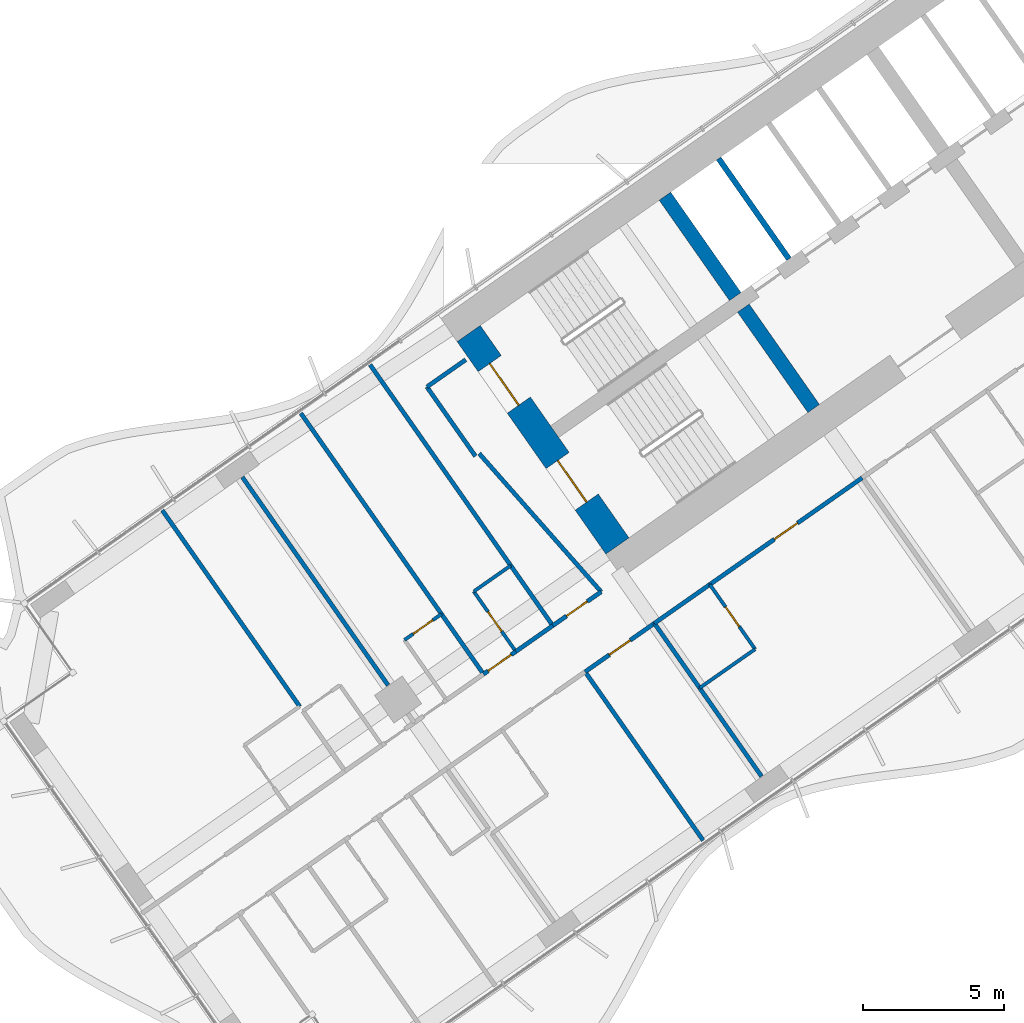
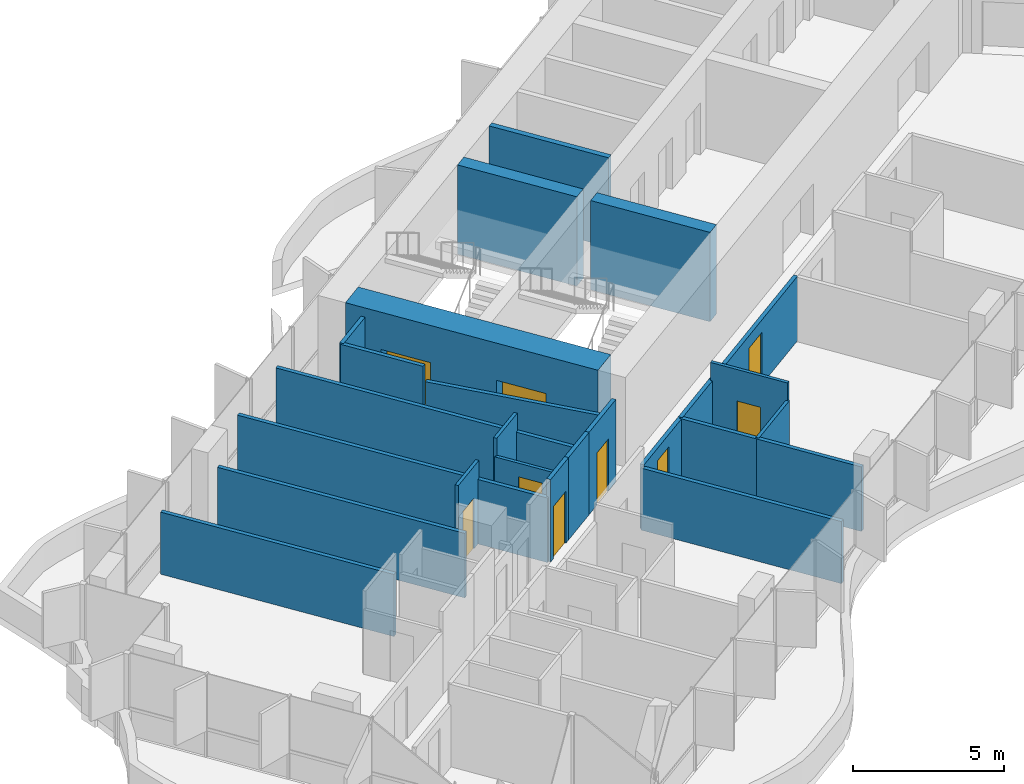
# One storey, part 13 of 24: 27 walls, 9 doors, 9 openings.
"""IFC4 building model written with IfcOpenShell, lengths in metres."""

from ifc_helpers import new_model, si_unit, direction, frame, frame_2d, origin, place, context, subcontext, project, spatial, polyline, rectangle, outline, extrude, material, layer, layer_set, type_object, element, fill, save


model = new_model("IFC4")

# Units and contexts
model_context = context("Model", 3, precision=1e-05, world=origin(), true_north=direction((0.0, 1.0)))
body_context = subcontext(model_context, "Body", "Model", "MODEL_VIEW")
ifc_project = project(units=[si_unit("LENGTHUNIT", "METRE"), si_unit("AREAUNIT", "SQUARE_METRE"), si_unit("VOLUMEUNIT", "CUBIC_METRE"), si_unit("PLANEANGLEUNIT", "RADIAN"), si_unit("MASSUNIT", "GRAM", prefix="KILO")], contexts=[model_context])

# Site, building, storey
site_placement = place(None, origin())
site = spatial("IfcSite", under=ifc_project, at=site_placement, CompositionType="ELEMENT")
building_placement = place(site_placement, origin())
building = spatial("IfcBuilding", under=site, at=building_placement, Name="Tel Ilan Convention Tower", CompositionType="ELEMENT")
storey_placement = place(building_placement, frame((0.0, 0.0, 90.5)))
storey = spatial("IfcBuildingStorey", under=building, at=storey_placement, Name="L18", CompositionType="ELEMENT", Elevation=90.5)

# Wall, openings, doors
ifc_material_1 = material(Name="Concrete C60/75", Category="concrete")
ifc_layer_1 = layer(ifc_material_1, 1.0)
ifc_layer_set_1 = layer_set([ifc_layer_1], Name="Core Shear Wall 1000 mm C60/75")
wall_type_1 = type_object("IfcWallType", Name="Core Shear Wall 1000 mm C60/75", PredefinedType="SHEAR", material=ifc_layer_set_1)
wall_1_placement = place(storey_placement, frame((-21.70751953125, -15.19970703125, 0.0), z_axis=(0.0, 0.0, 1.0), x_axis=(-0.573576324356, 0.819152122709, 0.0)))
wall_1 = element("IfcWall", 1, at=wall_1_placement, inside=storey, type_object=wall_type_1, Name="L18 core wall W-end", PredefinedType="SHEAR", context=body_context, shape_type="SweptSolid", body=[
    extrude(outline(polyline([(0.0, 0.5), (0.0, -0.5), (9.199951171875, -0.5), (9.199951171875, 0.5), (0.0, 0.5)])), origin(), (0.0, 0.0, 1.0), 3.60009765625),
])
opening_1_placement = place(wall_1_placement, frame((6.10009765625, 0.0, 0.0)))
opening_1 = element("IfcOpeningElement", 2, at=opening_1_placement, cuts=wall_1, Name="Opening SD1601", PredefinedType="OPENING", context=body_context, shape_type="SweptSolid", body=[
    extrude(rectangle(XDim=1.800048828125, YDim=2.10009765625, at=frame_2d((0.89990234375, 1.050048828125))), frame((0.0, 0.510009765625, 0.0), z_axis=(0.0, -1.0, 0.0), x_axis=(1.0, 0.0, 0.0)), (0.0, 0.0, 1.0), 1.02001953125),
])
opening_2_placement = place(wall_1_placement, frame((1.89990234375, 0.0, 0.0)))
opening_2 = element("IfcOpeningElement", 3, at=opening_2_placement, cuts=wall_1, Name="Opening SD1602", PredefinedType="OPENING", context=body_context, shape_type="SweptSolid", body=[
    extrude(rectangle(XDim=1.800048828125, YDim=2.10009765625, at=frame_2d((0.89990234375, 1.050048828125))), frame((0.0, 0.510009765625, 0.0), z_axis=(0.0, -1.0, 0.0), x_axis=(1.0, 0.0, 0.0)), (0.0, 0.0, 1.0), 1.02001953125),
])
ifc_material_2 = material(Name="Galvanised Steel Door Leaf", Category="steel")
door_type_1 = type_object("IfcDoorType", Name="Stair Fire Door 1800 x 2100 FD60S", OperationType="NOTDEFINED", PredefinedType="DOOR", material=ifc_material_2)
door_1_placement = place(opening_1_placement, origin())
door_1 = element("IfcDoor", 4, at=door_1_placement, inside=storey, type_object=door_type_1, Name="Stair S1 door", OperationType="DOUBLE_DOOR_SINGLE_SWING", OverallHeight=2.10009765625, OverallWidth=1.800048828125, PredefinedType="DOOR", context=body_context, shape_type="SweptSolid", body=[
    extrude(rectangle(XDim=1.800048828125, YDim=2.10009765625, at=frame_2d((0.89990234375, 1.050048828125))), frame((0.0, 0.02490234375, 0.0), z_axis=(0.0, -1.0, 0.0), x_axis=(1.0, 0.0, 0.0)), (0.0, 0.0, 1.0), 0.050048828125),
])
fill(opening_1, door_1)
door_2_placement = place(opening_2_placement, origin())
door_2 = element("IfcDoor", 5, at=door_2_placement, inside=storey, type_object=door_type_1, Name="Stair S2 door", OperationType="DOUBLE_DOOR_SINGLE_SWING", OverallHeight=2.10009765625, OverallWidth=1.800048828125, PredefinedType="DOOR", context=body_context, shape_type="SweptSolid", body=[
    extrude(rectangle(XDim=1.800048828125, YDim=2.10009765625, at=frame_2d((0.89990234375, 1.050048828125))), frame((0.0, 0.02490234375, 0.0), z_axis=(0.0, -1.0, 0.0), x_axis=(1.0, 0.0, 0.0)), (0.0, 0.0, 1.0), 0.050048828125),
])
fill(opening_2, door_2)

# Walls
ifc_material_3 = material(Name="Concrete C60/75", Category="concrete")
ifc_layer_2 = layer(ifc_material_3, 0.5)
ifc_layer_set_2 = layer_set([ifc_layer_2], Name="Core Shear Wall 500 mm C60/75")
wall_type_2 = type_object("IfcWallType", Name="Core Shear Wall 500 mm C60/75", PredefinedType="SHEAR", material=ifc_layer_set_2)
wall_2_placement = place(storey_placement, frame((-14.74462890625, -10.324462890625, 0.0), z_axis=(0.0, 0.0, 1.0), x_axis=(-0.57356780395, 0.819158088694, 0.0)))
element("IfcWall", 6, at=wall_2_placement, inside=storey, type_object=wall_type_2, Name="L18 core wall W-cross2-1", PredefinedType="SHEAR", context=body_context, shape_type="SweptSolid", body=[
    extrude(outline(polyline([(4.35009765625, 0.250244140625), (0.0, 0.25), (0.0, -0.25), (4.35009765625, -0.25), (4.35009765625, 0.250244140625)])), origin(), (0.0, 0.0, 1.0), 3.60009765625),
])
wall_3_placement = place(storey_placement, frame((-17.526611328125, -6.3515625, 0.0), z_axis=(0.0, 0.0, 1.0), x_axis=(-0.573530143085, 0.819184457233, 0.0)))
element("IfcWall", 7, at=wall_3_placement, inside=storey, type_object=wall_type_2, Name="L18 core wall W-cross2-2", PredefinedType="SHEAR", context=body_context, shape_type="SweptSolid", body=[
    extrude(outline(polyline([(4.35009765625, -0.249755859375), (4.35009765625, 0.250244140625), (0.0, 0.25), (0.0, -0.25), (4.35009765625, -0.249755859375)])), origin(), (0.0, 0.0, 1.0), 3.60009765625),
])

# Wall, opening, door
ifc_material_4 = material(Name="Plasterboard on Steel Studs", Category="steel")
ifc_layer_3 = layer(ifc_material_4, 0.14990234375)
ifc_layer_set_3 = layer_set([ifc_layer_3], Name="Fire-rated Partition 150 EI 60")
wall_type_3 = type_object("IfcWallType", Name="Fire-rated Partition 150 EI 60", PredefinedType="PARTITIONING", material=ifc_layer_set_3)
wall_4_placement = place(storey_placement, frame((-24.002685546875, -18.027587890625, 0.0), z_axis=(0.0, 0.0, 1.0), x_axis=(0.819160859995, 0.573563846013, 0.0)))
wall_4 = element("IfcWall", 8, at=wall_4_placement, inside=storey, type_object=wall_type_3, Name="Partition 020", PredefinedType="PARTITIONING", context=body_context, shape_type="SweptSolid", body=[
    extrude(rectangle(XDim=2.098388671875, YDim=0.14990234375, at=frame_2d((1.04931640625, 0.0))), origin(), (0.0, 0.0, 1.0), 3.320068359375),
])
opening_3_placement = place(wall_4_placement, frame((0.59912109375, 0.0, 0.0)))
opening_3 = element("IfcOpeningElement", 9, at=opening_3_placement, cuts=wall_4, Name="Opening L18-016", PredefinedType="OPENING", context=body_context, shape_type="SweptSolid", body=[
    extrude(rectangle(XDim=0.89990234375, YDim=2.10009765625, at=frame_2d((0.449951171875, 1.050048828125))), frame((0.0, 0.0849609375, 0.0), z_axis=(0.0, -1.0, 0.0), x_axis=(1.0, 0.0, 0.0)), (0.0, 0.0, 1.0), 0.169921875),
])
ifc_material_5 = material(Name="Timber Door Leaf in Steel Frame", Category="steel")
door_type_2 = type_object("IfcDoorType", Name="Room Fire Door 900x2100", OperationType="NOTDEFINED", PredefinedType="DOOR", material=ifc_material_5)
door_3_placement = place(opening_3_placement, origin())
door_3 = element("IfcDoor", 10, at=door_3_placement, inside=storey, type_object=door_type_2, Name="Door L18-016", OperationType="SINGLE_SWING_RIGHT", OverallHeight=2.10009765625, OverallWidth=0.89990234375, PredefinedType="DOOR", context=body_context, shape_type="SweptSolid", body=[
    extrude(rectangle(XDim=0.89990234375, YDim=2.10009765625, at=frame_2d((0.449951171875, 1.050048828125))), frame((0.0, 0.02490234375, 0.0), z_axis=(0.0, -1.0, 0.0), x_axis=(1.0, 0.0, 0.0)), (0.0, 0.0, 1.0), 0.050048828125),
])
fill(opening_3, door_3)

wall_5_placement = place(storey_placement, frame((-26.460205078125, -19.748291015625, 0.0), z_axis=(0.0, 0.0, 1.0), x_axis=(0.819199220913, 0.573509055252, 0.0)))
wall_5 = element("IfcWall", 11, at=wall_5_placement, inside=storey, type_object=wall_type_3, Name="Partition 021", PredefinedType="PARTITIONING", context=body_context, shape_type="SweptSolid", body=[
    extrude(rectangle(XDim=1.403076171875, YDim=0.14990234375, at=frame_2d((0.70166015625, 0.0))), origin(), (0.0, 0.0, 1.0), 3.320068359375),
])
opening_4_placement = place(wall_5_placement, frame((0.201904296875, 0.0, 0.0)))
opening_4 = element("IfcOpeningElement", 12, at=opening_4_placement, cuts=wall_5, Name="Opening L18-018", PredefinedType="OPENING", context=body_context, shape_type="SweptSolid", body=[
    extrude(rectangle(XDim=1.0, YDim=2.10009765625, at=frame_2d((0.5, 1.050048828125))), frame((0.0, 0.0849609375, 0.0), z_axis=(0.0, -1.0, 0.0), x_axis=(1.0, 0.0, 0.0)), (0.0, 0.0, 1.0), 0.169921875),
])
ifc_material_6 = material(Name="Timber Door Leaf in Steel Frame", Category="steel")
door_type_3 = type_object("IfcDoorType", Name="Hotel Room Entrance Fire Door 1000x2100", OperationType="NOTDEFINED", PredefinedType="DOOR", material=ifc_material_6)
door_4_placement = place(opening_4_placement, origin())
door_4 = element("IfcDoor", 13, at=door_4_placement, inside=storey, type_object=door_type_3, Name="Door L18-018", OperationType="SINGLE_SWING_LEFT", OverallHeight=2.10009765625, OverallWidth=1.0, PredefinedType="DOOR", context=body_context, shape_type="SweptSolid", body=[
    extrude(rectangle(XDim=1.0, YDim=2.10009765625, at=frame_2d((0.5, 1.050048828125))), frame((0.0, 0.02490234375, 0.0), z_axis=(0.0, -1.0, 0.0), x_axis=(1.0, 0.0, 0.0)), (0.0, 0.0, 1.0), 0.050048828125),
])
fill(opening_4, door_4)

# Wall
wall_6_placement = place(storey_placement, frame((-25.313232421875, -18.9453125, 0.0), z_axis=(0.0, 0.0, 1.0), x_axis=(0.819189013667, 0.573523634986, 0.0)))
element("IfcWall", 14, at=wall_6_placement, inside=storey, type_object=wall_type_3, Name="Partition 022", PredefinedType="PARTITIONING", context=body_context, shape_type="SweptSolid", body=[
    extrude(rectangle(XDim=1.60400390625, YDim=0.14990234375, at=frame_2d((0.802001953125, 0.0))), origin(), (0.0, 0.0, 1.0), 3.320068359375),
])

# Wall, opening, door
wall_7_placement = place(storey_placement, frame((-13.0224609375, -12.78076171875, 0.0), z_axis=(0.0, 0.0, 1.0), x_axis=(-0.819141582452, -0.573591377113, 0.0)))
wall_7 = element("IfcWall", 15, at=wall_7_placement, inside=storey, type_object=wall_type_3, Name="Partition 032", PredefinedType="PARTITIONING", context=body_context, shape_type="SweptSolid", body=[
    extrude(rectangle(XDim=6.602783203125, YDim=0.14990234375, at=frame_2d((3.30126953125, 0.0))), origin(), (0.0, 0.0, 1.0), 2.60009765625),
])
opening_5_placement = place(wall_7_placement, frame((2.802001953125, 0.0, 0.0)))
opening_5 = element("IfcOpeningElement", 16, at=opening_5_placement, cuts=wall_7, Name="Opening L18-005", PredefinedType="OPENING", context=body_context, shape_type="SweptSolid", body=[
    extrude(rectangle(XDim=1.0, YDim=2.10009765625, at=frame_2d((0.5, 1.050048828125))), frame((0.0, 0.0849609375, 0.0), z_axis=(0.0, -1.0, 0.0), x_axis=(1.0, 0.0, 0.0)), (0.0, 0.0, 1.0), 0.169921875),
])
door_5_placement = place(opening_5_placement, origin())
door_5 = element("IfcDoor", 17, at=door_5_placement, inside=storey, type_object=door_type_3, Name="Door L18-005", OperationType="SINGLE_SWING_RIGHT", OverallHeight=2.10009765625, OverallWidth=1.0, PredefinedType="DOOR", context=body_context, shape_type="SweptSolid", body=[
    extrude(rectangle(XDim=1.0, YDim=2.10009765625, at=frame_2d((0.5, 1.050048828125))), frame((0.0, 0.02490234375, 0.0), z_axis=(0.0, -1.0, 0.0), x_axis=(1.0, 0.0, 0.0)), (0.0, 0.0, 1.0), 0.050048828125),
])
fill(opening_5, door_5)

# Wall
wall_8_placement = place(storey_placement, frame((-18.4287109375, -16.56640625, 0.0), z_axis=(0.0, 0.0, 1.0), x_axis=(-0.819146032251, -0.573585022335, 0.0)))
element("IfcWall", 18, at=wall_8_placement, inside=storey, type_object=wall_type_3, Name="Partition 033", PredefinedType="PARTITIONING", context=body_context, shape_type="SweptSolid", body=[
    extrude(rectangle(XDim=2.404052734375, YDim=0.14990234375, at=frame_2d((1.2021484375, 0.0))), origin(), (0.0, 0.0, 1.0), 2.60009765625),
])

# Wall, opening, door
wall_9_placement = place(storey_placement, frame((-20.394775390625, -17.94287109375, 0.0), z_axis=(0.0, 0.0, 1.0), x_axis=(-0.819128818764, -0.573609604409, 0.0)))
wall_9 = element("IfcWall", 19, at=wall_9_placement, inside=storey, type_object=wall_type_3, Name="Partition 034", PredefinedType="PARTITIONING", context=body_context, shape_type="SweptSolid", body=[
    extrude(rectangle(XDim=3.004150390625, YDim=0.14990234375, at=frame_2d((1.501953125, 0.0))), origin(), (0.0, 0.0, 1.0), 2.60009765625),
])
opening_6_placement = place(wall_9_placement, frame((1.052001953125, 0.0, 0.0)))
opening_6 = element("IfcOpeningElement", 20, at=opening_6_placement, cuts=wall_9, Name="Opening L18-006", PredefinedType="OPENING", context=body_context, shape_type="SweptSolid", body=[
    extrude(rectangle(XDim=0.89990234375, YDim=2.10009765625, at=frame_2d((0.449951171875, 1.050048828125))), frame((0.0, 0.0849609375, 0.0), z_axis=(0.0, -1.0, 0.0), x_axis=(1.0, 0.0, 0.0)), (0.0, 0.0, 1.0), 0.169921875),
])
door_6_placement = place(opening_6_placement, origin())
door_6 = element("IfcDoor", 21, at=door_6_placement, inside=storey, type_object=door_type_2, Name="Door L18-006", OperationType="SINGLE_SWING_LEFT", OverallHeight=2.10009765625, OverallWidth=0.89990234375, PredefinedType="DOOR", context=body_context, shape_type="SweptSolid", body=[
    extrude(rectangle(XDim=0.89990234375, YDim=2.10009765625, at=frame_2d((0.449951171875, 1.050048828125))), frame((0.0, 0.02490234375, 0.0), z_axis=(0.0, -1.0, 0.0), x_axis=(1.0, 0.0, 0.0)), (0.0, 0.0, 1.0), 0.050048828125),
])
fill(opening_6, door_6)

# Walls
wall_10_placement = place(storey_placement, frame((-26.74609375, -12.013671875, 0.0), z_axis=(0.0, 0.0, 1.0), x_axis=(-0.573560650686, 0.819163097304, 0.0)))
element("IfcWall", 22, at=wall_10_placement, inside=storey, type_object=wall_type_3, Name="Partition 081", PredefinedType="PARTITIONING", context=body_context, shape_type="SweptSolid", body=[
    extrude(rectangle(XDim=3.0, YDim=0.14990234375, at=frame_2d((1.5, 0.0))), origin(), (0.0, 0.0, 1.0), 3.320068359375),
])
wall_11_placement = place(storey_placement, frame((-28.466796875, -9.55615234375, 0.0), z_axis=(0.0, 0.0, 1.0), x_axis=(0.819109000826, 0.573637903879, 0.0)))
element("IfcWall", 23, at=wall_11_placement, inside=storey, type_object=wall_type_3, Name="Partition 082", PredefinedType="PARTITIONING", context=body_context, shape_type="SweptSolid", body=[
    extrude(rectangle(XDim=1.679931640625, YDim=0.14990234375, at=frame_2d((0.83984375, 0.0))), origin(), (0.0, 0.0, 1.0), 3.320068359375),
])
wall_12_placement = place(storey_placement, frame((-22.2841796875, -16.82666015625, 0.0), z_axis=(0.0, 0.0, 1.0), x_axis=(-0.661545117561, 0.749905365651, 0.0)))
element("IfcWall", 24, at=wall_12_placement, inside=storey, type_object=wall_type_3, Name="Partition 083", PredefinedType="PARTITIONING", context=body_context, shape_type="SweptSolid", body=[
    extrude(rectangle(XDim=6.542724609375, YDim=0.14990234375, at=frame_2d((3.271484375, 0.0))), origin(), (0.0, 0.0, 1.0), 2.60009765625),
])
wall_13_placement = place(storey_placement, frame((-25.49169921875, -15.8974609375, 0.0), z_axis=(0.0, 0.0, 1.0), x_axis=(-0.573579093502, 0.819150183725, 0.0)))
element("IfcWall", 25, at=wall_13_placement, inside=storey, type_object=wall_type_3, Name="Partition 084", PredefinedType="PARTITIONING", context=body_context, shape_type="SweptSolid", body=[
    extrude(rectangle(XDim=8.700927734375, YDim=0.14990234375, at=frame_2d((4.3505859375, 0.0))), origin(), (0.0, 0.0, 1.0), 2.60009765625),
])
wall_14_placement = place(storey_placement, frame((-24.0009765625, -18.0263671875, 0.0), z_axis=(0.0, 0.0, 1.0), x_axis=(-0.573588285102, 0.819143747577, 0.0)))
element("IfcWall", 26, at=wall_14_placement, inside=storey, type_object=wall_type_3, Name="Partition 085", PredefinedType="PARTITIONING", context=body_context, shape_type="SweptSolid", body=[
    extrude(rectangle(XDim=2.601806640625, YDim=0.14990234375, at=frame_2d((1.30078125, 0.0))), origin(), (0.0, 0.0, 1.0), 2.60009765625),
])
wall_15_placement = place(storey_placement, frame((-27.94921875, -17.6181640625, 0.0), z_axis=(0.0, 0.0, 1.0), x_axis=(-0.573579093502, 0.819150183725, 0.0)))
element("IfcWall", 27, at=wall_15_placement, inside=storey, type_object=wall_type_3, Name="Partition 088", PredefinedType="PARTITIONING", context=body_context, shape_type="SweptSolid", body=[
    extrude(rectangle(XDim=8.700927734375, YDim=0.14990234375, at=frame_2d((4.3505859375, 0.0))), origin(), (0.0, 0.0, 1.0), 2.60009765625),
])
wall_16_placement = place(storey_placement, frame((-26.45849609375, -19.747314453125, 0.0), z_axis=(0.0, 0.0, 1.0), x_axis=(-0.573544201094, 0.819174614714, 0.0)))
element("IfcWall", 28, at=wall_16_placement, inside=storey, type_object=wall_type_3, Name="Partition 089", PredefinedType="PARTITIONING", context=body_context, shape_type="SweptSolid", body=[
    extrude(rectangle(XDim=2.60205078125, YDim=0.14990234375, at=frame_2d((1.301025390625, 0.0))), origin(), (0.0, 0.0, 1.0), 2.60009765625),
])
wall_17_placement = place(storey_placement, frame((-29.84521484375, -20.140869140625, 0.0), z_axis=(0.0, 0.0, 1.0), x_axis=(-0.573558725113, 0.819164445546, 0.0)))
element("IfcWall", 29, at=wall_17_placement, inside=storey, type_object=wall_type_3, Name="Partition 093", PredefinedType="PARTITIONING", context=body_context, shape_type="SweptSolid", body=[
    extrude(rectangle(XDim=9.010009765625, YDim=0.14990234375, at=frame_2d((4.5048828125, 0.0))), origin(), (0.0, 0.0, 1.0), 2.60009765625),
])
wall_18_placement = place(storey_placement, frame((-32.978759765625, -20.895751953125, 0.0), z_axis=(0.0, 0.0, 1.0), x_axis=(-0.573576058406, 0.819152308929, 0.0)))
element("IfcWall", 30, at=wall_18_placement, inside=storey, type_object=wall_type_3, Name="Partition 096", PredefinedType="PARTITIONING", context=body_context, shape_type="SweptSolid", body=[
    extrude(rectangle(XDim=8.5009765625, YDim=0.14990234375, at=frame_2d((4.25048828125, 0.0))), origin(), (0.0, 0.0, 1.0), 2.5),
])
wall_19_placement = place(storey_placement, frame((-16.593505859375, -23.375, 0.0), z_axis=(0.0, 0.0, 1.0), x_axis=(-0.573594994199, 0.819139049631, 0.0)))
element("IfcWall", 31, at=wall_19_placement, inside=storey, type_object=wall_type_3, Name="Partition 107", PredefinedType="PARTITIONING", context=body_context, shape_type="SweptSolid", body=[
    extrude(rectangle(XDim=3.8291015625, YDim=0.14990234375, at=frame_2d((1.91455078125, 0.0))), origin(), (0.0, 0.0, 1.0), 2.60009765625),
])
wall_20_placement = place(storey_placement, frame((-18.790283203125, -20.237548828125, 0.0), z_axis=(0.0, 0.0, 1.0), x_axis=(-0.57364959175, 0.819100815459, 0.0)))
element("IfcWall", 32, at=wall_20_placement, inside=storey, type_object=wall_type_3, Name="Partition 108", PredefinedType="PARTITIONING", context=body_context, shape_type="SweptSolid", body=[
    extrude(rectangle(XDim=2.800048828125, YDim=0.14990234375, at=frame_2d((1.39990234375, 0.0))), origin(), (0.0, 0.0, 1.0), 2.60009765625),
])
wall_21_placement = place(storey_placement, frame((-18.666748046875, -25.64453125, 0.0), z_axis=(0.0, 0.0, 1.0), x_axis=(-0.573572324301, 0.819154923562, 0.0)))
element("IfcWall", 33, at=wall_21_placement, inside=storey, type_object=wall_type_3, Name="Partition 109", PredefinedType="PARTITIONING", context=body_context, shape_type="SweptSolid", body=[
    extrude(rectangle(XDim=7.2998046875, YDim=0.14990234375, at=frame_2d((3.64990234375, 0.0))), origin(), (0.0, 0.0, 1.0), 2.5),
])
ifc_material_7 = material(Name="Concrete C30/37", Category="concrete")
ifc_layer_4 = layer(ifc_material_7, 0.199951171875)
ifc_layer_set_4 = layer_set([ifc_layer_4], Name="Lift Shaft Wall 200 mm C30/37")
wall_type_4 = type_object("IfcWallType", Name="Lift Shaft Wall 200 mm C30/37", PredefinedType="SOLIDWALL", material=ifc_layer_set_4)
wall_22_placement = place(storey_placement, frame((-15.6220703125, -5.017822265625, 0.0), z_axis=(0.0, 0.0, 1.0), x_axis=(-0.573594173421, 0.819139624372, 0.0)))
element("IfcWall", 34, at=wall_22_placement, inside=storey, type_object=wall_type_4, Name="L18 core wall bank-W2-p2", PredefinedType="SOLIDWALL", context=body_context, shape_type="SweptSolid", body=[
    extrude(rectangle(XDim=4.349853515625, YDim=0.199951171875, at=frame_2d((2.1748046875, 0.0))), origin(), (0.0, 0.0, 1.0), 3.60009765625),
])
ifc_material_8 = material(Name="Plasterboard on Steel Studs", Category="steel")
ifc_layer_5 = layer(ifc_material_8, 0.1201171875)
ifc_layer_set_5 = layer_set([ifc_layer_5], Name="Moisture-resistant Partition 120")
wall_type_5 = type_object("IfcWallType", Name="Moisture-resistant Partition 120", PredefinedType="PARTITIONING", material=ifc_layer_set_5)
wall_23_placement = place(storey_placement, frame((-25.492919921875, -15.895751953125, 0.0), z_axis=(0.0, 0.0, 1.0), x_axis=(-0.819059844958, -0.573708088123, 0.0)))
element("IfcWall", 35, at=wall_23_placement, inside=storey, type_object=wall_type_5, Name="Partition 086", PredefinedType="PARTITIONING", context=body_context, shape_type="SweptSolid", body=[
    extrude(rectangle(XDim=1.60009765625, YDim=0.1201171875, at=frame_2d((0.800048828125, 0.0))), origin(), (0.0, 0.0, 1.0), 3.320068359375),
])

# Wall, opening, door
wall_24_placement = place(storey_placement, frame((-26.8037109375, -16.81494140625, 0.0), z_axis=(0.0, 0.0, 1.0), x_axis=(0.573582085028, -0.819148089014, 0.0)))
wall_24 = element("IfcWall", 36, at=wall_24_placement, inside=storey, type_object=wall_type_5, Name="Partition 087", PredefinedType="PARTITIONING", context=body_context, shape_type="SweptSolid", body=[
    extrude(rectangle(XDim=2.599853515625, YDim=0.1201171875, at=frame_2d((1.2998046875, 0.0))), origin(), (0.0, 0.0, 1.0), 2.60009765625),
])
opening_7_placement = place(wall_24_placement, frame((0.875, 0.0, 0.0)))
opening_7 = element("IfcOpeningElement", 37, at=opening_7_placement, cuts=wall_24, Name="Opening L18-017", PredefinedType="OPENING", context=body_context, shape_type="SweptSolid", body=[
    extrude(rectangle(XDim=0.85009765625, YDim=2.050048828125, at=frame_2d((0.425048828125, 1.02490234375))), frame((0.0, 0.070068359375, 0.0), z_axis=(0.0, -1.0, 0.0), x_axis=(1.0, 0.0, 0.0)), (0.0, 0.0, 1.0), 0.14013671875),
])
ifc_material_9 = material(Name="Timber Door Leaf in Steel Frame", Category="steel")
door_type_4 = type_object("IfcDoorType", Name="Bathroom Timber Door 850x2050", OperationType="NOTDEFINED", PredefinedType="DOOR", material=ifc_material_9)
door_7_placement = place(opening_7_placement, origin())
door_7 = element("IfcDoor", 38, at=door_7_placement, inside=storey, type_object=door_type_4, Name="Door L18-017", OperationType="SINGLE_SWING_RIGHT", OverallHeight=2.050048828125, OverallWidth=0.85009765625, PredefinedType="DOOR", context=body_context, shape_type="SweptSolid", body=[
    extrude(rectangle(XDim=0.85009765625, YDim=2.050048828125, at=frame_2d((0.425048828125, 1.02490234375))), frame((0.0, 0.02490234375, 0.0), z_axis=(0.0, -1.0, 0.0), x_axis=(1.0, 0.0, 0.0)), (0.0, 0.0, 1.0), 0.050048828125),
])
fill(opening_7, door_7)

wall_25_placement = place(storey_placement, frame((-27.9501953125, -17.61669921875, 0.0), z_axis=(0.0, 0.0, 1.0), x_axis=(-0.819253425856, -0.573431621227, 0.0)))
wall_25 = element("IfcWall", 39, at=wall_25_placement, inside=storey, type_object=wall_type_5, Name="Partition 090", PredefinedType="PARTITIONING", context=body_context, shape_type="SweptSolid", body=[
    extrude(rectangle(XDim=1.60009765625, YDim=0.1201171875, at=frame_2d((0.800048828125, 0.0))), origin(), (0.0, 0.0, 1.0), 3.320068359375),
])
opening_8_placement = place(wall_25_placement, frame((0.375, 0.0, 0.0)))
opening_8 = element("IfcOpeningElement", 40, at=opening_8_placement, cuts=wall_25, Name="Opening L18-019", PredefinedType="OPENING", context=body_context, shape_type="SweptSolid", body=[
    extrude(rectangle(XDim=0.85009765625, YDim=2.050048828125, at=frame_2d((0.425048828125, 1.02490234375))), frame((0.0, 0.070068359375, 0.0), z_axis=(0.0, -1.0, 0.0), x_axis=(1.0, 0.0, 0.0)), (0.0, 0.0, 1.0), 0.14013671875),
])
door_8_placement = place(opening_8_placement, origin())
door_8 = element("IfcDoor", 41, at=door_8_placement, inside=storey, type_object=door_type_4, Name="Door L18-019", OperationType="SINGLE_SWING_LEFT", OverallHeight=2.050048828125, OverallWidth=0.85009765625, PredefinedType="DOOR", context=body_context, shape_type="SweptSolid", body=[
    extrude(rectangle(XDim=0.85009765625, YDim=2.050048828125, at=frame_2d((0.425048828125, 1.02490234375))), frame((0.0, 0.02490234375, 0.0), z_axis=(0.0, -1.0, 0.0), x_axis=(1.0, 0.0, 0.0)), (0.0, 0.0, 1.0), 0.050048828125),
])
fill(opening_8, door_8)

# Wall
wall_26_placement = place(storey_placement, frame((-18.789794921875, -20.238525390625, 0.0), z_axis=(0.0, 0.0, 1.0), x_axis=(0.819141114317, 0.573592045652, 0.0)))
element("IfcWall", 42, at=wall_26_placement, inside=storey, type_object=wall_type_5, Name="Partition 105", PredefinedType="PARTITIONING", context=body_context, shape_type="SweptSolid", body=[
    extrude(rectangle(XDim=2.400146484375, YDim=0.1201171875, at=frame_2d((1.2001953125, 0.0))), origin(), (0.0, 0.0, 1.0), 2.60009765625),
])

# Wall, opening, door
wall_27_placement = place(storey_placement, frame((-16.823486328125, -18.860595703125, 0.0), z_axis=(0.0, 0.0, 1.0), x_axis=(-0.573608623498, 0.819129505664, 0.0)))
wall_27 = element("IfcWall", 43, at=wall_27_placement, inside=storey, type_object=wall_type_5, Name="Partition 106", PredefinedType="PARTITIONING", context=body_context, shape_type="SweptSolid", body=[
    extrude(rectangle(XDim=2.800048828125, YDim=0.1201171875, at=frame_2d((1.39990234375, 0.0))), origin(), (0.0, 0.0, 1.0), 3.320068359375),
])
opening_9_placement = place(wall_27_placement, frame((0.97509765625, 0.0, 0.0)))
opening_9 = element("IfcOpeningElement", 44, at=opening_9_placement, cuts=wall_27, Name="Opening L18-004", PredefinedType="OPENING", context=body_context, shape_type="SweptSolid", body=[
    extrude(rectangle(XDim=0.85009765625, YDim=2.050048828125, at=frame_2d((0.425048828125, 1.02490234375))), frame((0.0, 0.070068359375, 0.0), z_axis=(0.0, -1.0, 0.0), x_axis=(1.0, 0.0, 0.0)), (0.0, 0.0, 1.0), 0.14013671875),
])
door_9_placement = place(opening_9_placement, origin())
door_9 = element("IfcDoor", 45, at=door_9_placement, inside=storey, type_object=door_type_4, Name="Door L18-004", OperationType="SINGLE_SWING_RIGHT", OverallHeight=2.050048828125, OverallWidth=0.85009765625, PredefinedType="DOOR", context=body_context, shape_type="SweptSolid", body=[
    extrude(rectangle(XDim=0.85009765625, YDim=2.050048828125, at=frame_2d((0.425048828125, 1.02490234375))), frame((0.0, 0.02490234375, 0.0), z_axis=(0.0, -1.0, 0.0), x_axis=(1.0, 0.0, 0.0)), (0.0, 0.0, 1.0), 0.050048828125),
])
fill(opening_9, door_9)

save(model, "model.ifc")
